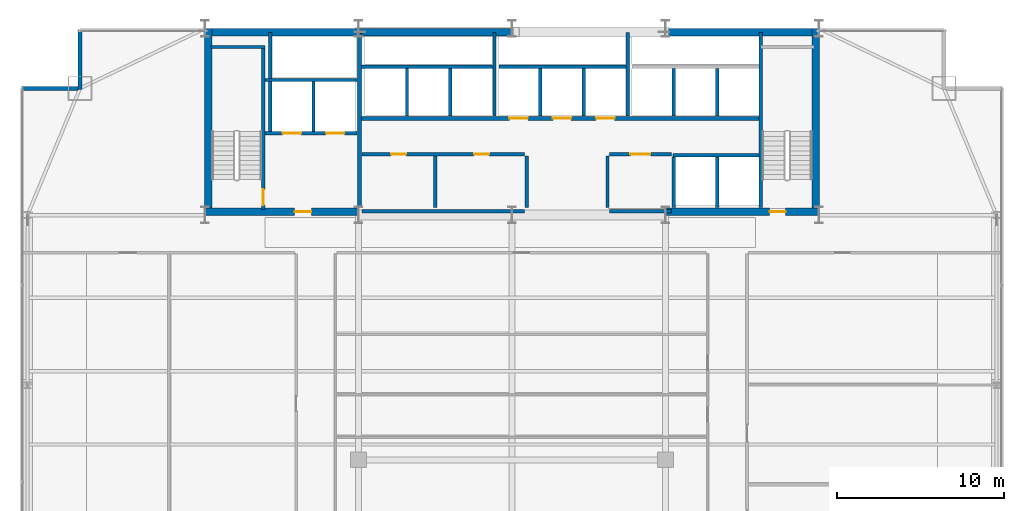
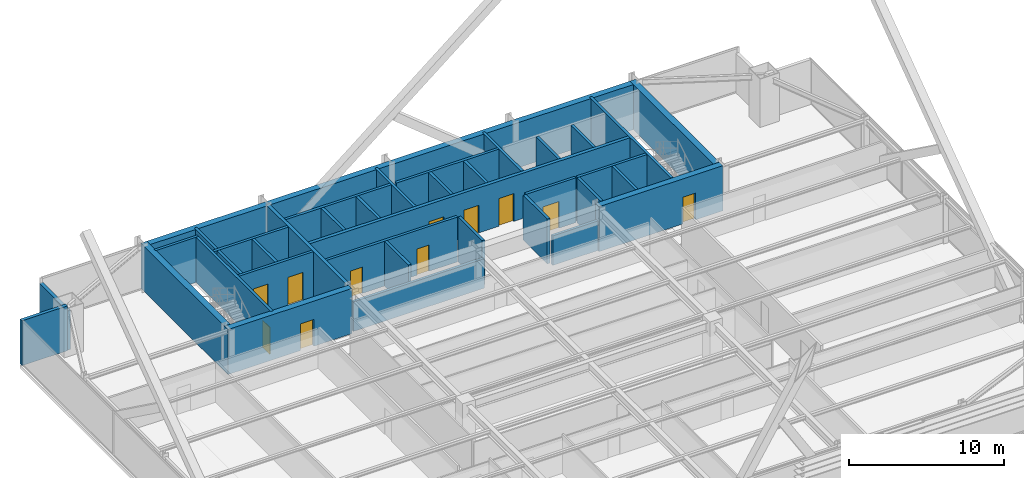
# One storey, part 34 of 37: 36 walls, 11 doors, 11 openings.
"""IFC4 building model written with IfcOpenShell, lengths in metres."""

import ifcopenshell
import ifcopenshell.guid

model = None  # the IFC model being written
_history = None  # IfcOwnerHistory: only IFC2X3 demands one
_inside = {}  # id of a spatial element -> (the spatial element, [elements in it])
_under = {}  # id of a project, library or spatial element -> (it, [spatial elements below it])
_declared = {}  # id of a project -> (the project, [libraries it declares])
_typed = {}  # id of a type object -> (the type object, [elements of that type])
_made_of = {}  # id of a material, layer set ... -> (it, [elements and type objects made of it])


def new_model(schema):
    """Start an empty IFC model of exactly this schema.

    Asked for "IFC4X3", IfcOpenShell would pick the latest addendum, in which some entities
    have other attributes; the version numbers below select the first issue.
    IFC2X3 requires an IfcOwnerHistory on every rooted entity: one is made here for all.
    """
    global model, _history
    if schema == "IFC4X3":
        model = ifcopenshell.file(schema_version=(4, 3, 0, 0))
    else:
        model = ifcopenshell.file(schema=schema)
    _inside.clear()
    _under.clear()
    _declared.clear()
    _typed.clear()
    _made_of.clear()
    _history = None
    if model.schema == "IFC2X3":
        org = make("IfcOrganization", Name="unknown")
        user = make(
            "IfcPersonAndOrganization",
            ThePerson=make("IfcPerson", FamilyName="unknown"),
            TheOrganization=org,
        )
        app = make(
            "IfcApplication",
            ApplicationDeveloper=org,
            Version="unknown",
            ApplicationFullName="unknown",
            ApplicationIdentifier="unknown",
        )
        _history = make(
            "IfcOwnerHistory",
            OwningUser=user,
            OwningApplication=app,
            ChangeAction="ADDED",
            CreationDate=0,
        )
    return model


def make(cls, **values):
    """One entity of the class cls with the attributes given. An attribute that is None is left unset."""
    return model.create_entity(
        cls, **{name: value for name, value in values.items() if value is not None}
    )


def rooted(cls, **values):
    """An entity with a GlobalId (a new one), such as an element, a storey or a relation."""
    return make(cls, GlobalId=ifcopenshell.guid.new(), OwnerHistory=_history, **values)


def si_unit(unit_type, name, prefix=None):
    """IfcSIUnit, for example si_unit("LENGTHUNIT", "METRE", prefix="MILLI")."""
    return make("IfcSIUnit", UnitType=unit_type, Prefix=prefix, Name=name)


def assignment(units):
    """IfcUnitAssignment: the units of a project."""
    return None if units is None else make("IfcUnitAssignment", Units=units)


def point(xyz):
    """IfcCartesianPoint."""
    return None if xyz is None else make("IfcCartesianPoint", Coordinates=xyz)


def direction(xyz):
    """IfcDirection."""
    return None if xyz is None else make("IfcDirection", DirectionRatios=xyz)


def frame(location, z_axis=None, x_axis=None):
    """IfcAxis2Placement3D, a coordinate frame: its origin and axes. An axis left out is left unset."""
    return make(
        "IfcAxis2Placement3D",
        Location=point(location),
        Axis=direction(z_axis),
        RefDirection=direction(x_axis),
    )


def frame_2d(location, x_axis=None):
    """IfcAxis2Placement2D, a coordinate frame in the plane: its origin and x axis."""
    return make(
        "IfcAxis2Placement2D", Location=point(location), RefDirection=direction(x_axis)
    )


def origin():
    """The frame at (0, 0, 0) with its axes left unset."""
    return frame((0.0, 0.0, 0.0))


def place(relative_to, where):
    """IfcLocalPlacement: puts the frame where relative to a parent placement (None: the world)."""
    return make(
        "IfcLocalPlacement", PlacementRelTo=relative_to, RelativePlacement=where
    )


def context(
    kind, dimensions, precision=None, world=None, true_north=None, identifier=None
):
    """IfcGeometricRepresentationContext, for example the 3D "Model" context."""
    return make(
        "IfcGeometricRepresentationContext",
        ContextIdentifier=identifier,
        ContextType=kind,
        CoordinateSpaceDimension=dimensions,
        Precision=precision,
        WorldCoordinateSystem=world,
        TrueNorth=true_north,
    )


def subcontext(parent, identifier, kind, view, scale=None):
    """IfcGeometricRepresentationSubContext, for example "Body" below "Model"."""
    return make(
        "IfcGeometricRepresentationSubContext",
        ContextIdentifier=identifier,
        ContextType=kind,
        ParentContext=parent,
        TargetScale=scale,
        TargetView=view,
    )


def project(units=None, contexts=None):
    """IfcProject with its units and contexts."""
    return rooted(
        "IfcProject",
        Name="project",
        RepresentationContexts=contexts,
        UnitsInContext=assignment(units),
    )


def spatial(cls, under=None, at=None, **own):
    """A site, building, storey or space (cls), placed at a placement, below another one or the project."""
    s = rooted(cls, ObjectPlacement=at, **own)
    if under is not None:
        _under.setdefault(under.id(), (under, []))[1].append(s)
    return s


def profile(cls, at=None, kind="AREA", **sizes):
    """A parametric profile (cls). Its sizes go by their IFC names, for example OverallWidth=200.0."""
    return make(cls, ProfileType=kind, Position=at, **sizes)


def rectangle(**sizes):
    """IfcRectangleProfileDef."""
    return profile("IfcRectangleProfileDef", **sizes)


def extrude(swept, where, along, depth):
    """IfcExtrudedAreaSolid: the profile swept, set in the frame where, extruded along a direction by depth."""
    return make(
        "IfcExtrudedAreaSolid",
        SweptArea=swept,
        Position=where,
        ExtrudedDirection=direction(along),
        Depth=depth,
    )


def shape(context_of_items, identifier, shape_type, items):
    """IfcShapeRepresentation: the items that make up one representation, for example the "Body"."""
    return make(
        "IfcShapeRepresentation",
        ContextOfItems=context_of_items,
        RepresentationIdentifier=identifier,
        RepresentationType=shape_type,
        Items=items,
    )


def source(mapping_origin, context_of_items, identifier, shape_type, items):
    """IfcRepresentationMap: a shape defined once, which mapped items show again and again."""
    return make(
        "IfcRepresentationMap",
        MappingOrigin=mapping_origin,
        MappedRepresentation=shape(context_of_items, identifier, shape_type, items),
    )


def transform(
    local_origin,
    x_axis=None,
    y_axis=None,
    z_axis=None,
    scale=None,
    scale2=None,
    scale3=None,
    uniform=True,
):
    """IfcCartesianTransformationOperator3D, or its non-uniform kind. x_axis, y_axis, z_axis: its Axis1, 2, 3."""
    if uniform:
        return make(
            "IfcCartesianTransformationOperator3D",
            Axis1=direction(x_axis),
            Axis2=direction(y_axis),
            LocalOrigin=point(local_origin),
            Scale=scale,
            Axis3=direction(z_axis),
        )
    return make(
        "IfcCartesianTransformationOperator3DnonUniform",
        Axis1=direction(x_axis),
        Axis2=direction(y_axis),
        LocalOrigin=point(local_origin),
        Scale=scale,
        Axis3=direction(z_axis),
        Scale2=scale2,
        Scale3=scale3,
    )


def mapped(mapping_source, mapping_target):
    """IfcMappedItem: shows the shape of a source again, moved by a transform."""
    return make(
        "IfcMappedItem", MappingSource=mapping_source, MappingTarget=mapping_target
    )


def material(Name=None, Category=None):
    """IfcMaterial."""
    return make("IfcMaterial", Name=Name, Category=Category)


def layer(
    of_material, thickness, ventilated=None, Name=None, Category=None, Priority=None
):
    """IfcMaterialLayer: one layer of a wall or slab, of a material (None: an air gap)."""
    return make(
        "IfcMaterialLayer",
        Material=of_material,
        LayerThickness=thickness,
        IsVentilated=ventilated,
        Name=Name,
        Category=Category,
        Priority=Priority,
    )


def layer_set(layers, Name=None):
    """IfcMaterialLayerSet."""
    return make("IfcMaterialLayerSet", MaterialLayers=layers, LayerSetName=Name)


def made_of(thing, what):
    """Note that an element or type object is made of a material, layer set ...; save() writes the relation."""
    if what is not None:
        _made_of.setdefault(what.id(), (what, []))[1].append(thing)
    return thing


def type_object(cls, material=None, **own):
    """A type object (cls), such as IfcWallType, which elements share."""
    return made_of(rooted(cls, **own), material)


def type_shapes(of_type, sources):
    """Give a type object the sources (RepresentationMaps) that its elements show as mapped items."""
    of_type.RepresentationMaps = sources


def element(
    cls,
    number,
    at=None,
    inside=None,
    cuts=None,
    type_object=None,
    material=None,
    context=None,
    identifier="Body",
    shape_type=None,
    held_by="IfcProductDefinitionShape",
    body=None,
    shapes=None,
    **own,
):
    """One element of the class cls, such as IfcWall. Its Tag is "e" and its number.

    at: its placement. inside: the storey or other place that contains it. cuts: it is an
    opening in that element (IfcRelVoidsElement). A single representation is given by context,
    identifier, shape_type and body (its items); several are given by shapes. held_by: the class
    of the entity that holds the representations. save() writes the other relations.
    """
    e = rooted(cls, Tag="e%d" % number, ObjectPlacement=at, **own)
    if body is not None:
        shapes = [shape(context, identifier, shape_type, body)]
    if shapes is not None:
        e.Representation = make(held_by, Representations=shapes)
    if inside is not None:
        _inside.setdefault(inside.id(), (inside, []))[1].append(e)
    if cuts is not None:
        rooted(
            "IfcRelVoidsElement", RelatingBuildingElement=cuts, RelatedOpeningElement=e
        )
    if type_object is not None:
        _typed.setdefault(type_object.id(), (type_object, []))[1].append(e)
    return made_of(e, material)


def fill(opening, filler):
    """IfcRelFillsElement: the door or window that sits in an opening."""
    return rooted(
        "IfcRelFillsElement",
        RelatingOpeningElement=opening,
        RelatedBuildingElement=filler,
    )


def aggregate(whole, parts):
    """IfcRelAggregates: a whole, such as a stair, and the parts it consists of."""
    return rooted("IfcRelAggregates", RelatingObject=whole, RelatedObjects=parts)


def save(model, path):
    """Write the relations noted so far, then the file.

    IfcRelAggregates (storeys below a building ...), IfcRelContainedInSpatialStructure (elements
    in a storey), IfcRelDefinesByType, IfcRelAssociatesMaterial and IfcRelDeclares: one each for
    every whole, place, type object, material and project.
    """
    for whole, parts in _under.values():
        aggregate(whole, parts)
    for where, things in _inside.values():
        rooted(
            "IfcRelContainedInSpatialStructure",
            RelatedElements=things,
            RelatingStructure=where,
        )
    for kind, things in _typed.values():
        rooted("IfcRelDefinesByType", RelatedObjects=things, RelatingType=kind)
    for what, things in _made_of.values():
        rooted("IfcRelAssociatesMaterial", RelatedObjects=things, RelatingMaterial=what)
    for by, libraries in _declared.values():
        rooted("IfcRelDeclares", RelatingContext=by, RelatedDefinitions=libraries)
    model.write(path)


model = new_model("IFC4")

# Units and contexts
model_context = context("Model", 3, precision=1e-05, world=origin(), true_north=direction((0.0, 1.0)))
body_context = subcontext(model_context, "Body", "Model", "MODEL_VIEW")
ifc_project = project(units=[si_unit("LENGTHUNIT", "METRE"), si_unit("AREAUNIT", "SQUARE_METRE"), si_unit("VOLUMEUNIT", "CUBIC_METRE"), si_unit("PLANEANGLEUNIT", "RADIAN"), si_unit("MASSUNIT", "GRAM", prefix="KILO")], contexts=[model_context])

# Site, building, storey
site_placement = place(None, origin())
site = spatial("IfcSite", under=ifc_project, at=site_placement, CompositionType="ELEMENT")
building_placement = place(site_placement, origin())
building = spatial("IfcBuilding", under=site, at=building_placement, Name="Varnel Quay Broadcast Tower", CompositionType="ELEMENT")
storey_placement = place(building_placement, frame((0.0, 0.0, 103.0)))
storey = spatial("IfcBuildingStorey", under=building, at=storey_placement, Name="L24", CompositionType="ELEMENT", Elevation=103.0)

# Wall, opening, door
ifc_material_1 = material(Name="Concrete CSA A23.3 C50/60", Category="concrete")
ifc_layer_1 = layer(ifc_material_1, 0.199951171875, Name="Concrete CSA A23.3 C50/60")
ifc_layer_set_1 = layer_set([ifc_layer_1], Name="Concrete CSA A23.3 C50/60")
wall_type_1 = type_object("IfcWallType", Name="Wall_CoreShaftShear200", PredefinedType="SHEAR", material=ifc_layer_set_1)
wall_1_placement = place(storey_placement, frame((19.080078125, 35.949951171875, 0.0), z_axis=(0.0, 0.0, 1.0), x_axis=(0.0, 1.0, 0.0)))
wall_1 = element("IfcWall", 1, at=wall_1_placement, inside=storey, type_object=wall_type_1, Name="L24 Stair 1 East Structural Wall", PredefinedType="SHEAR", context=body_context, shape_type="SweptSolid", body=[
    extrude(rectangle(XDim=9.650146484375, YDim=0.199951171875, at=frame_2d((4.8251953125, 0.0))), origin(), (0.0, 0.0, 1.0), 3.550048828125),
])
opening_1_placement = place(wall_1_placement, frame((0.25, 0.0, 0.0)))
opening_1 = element("IfcOpeningElement", 2, at=opening_1_placement, cuts=wall_1, Name="Opening D-L24-S1", PredefinedType="OPENING", context=body_context, shape_type="SweptSolid", body=[
    extrude(rectangle(XDim=0.949951171875, YDim=2.10009765625, at=frame_2d((0.47509765625, 1.050048828125))), frame((0.0, 0.10986328125, 0.0), z_axis=(0.0, -1.0, 0.0), x_axis=(1.0, 0.0, 0.0)), (0.0, 0.0, 1.0), 0.219970703125),
])
ifc_material_2 = material(Name="Insulated Fire-Rated Hollow Steel Door", Category="steel")
door_type_1 = type_object("IfcDoorType", Name="Door_FireStair950", OperationType="NOTDEFINED", PredefinedType="DOOR", material=ifc_material_2)
shared_shape_1 = source(origin(), body_context, "Body", "SweptSolid", [
    extrude(rectangle(XDim=0.949951171875, YDim=2.10009765625, at=frame_2d((0.47509765625, 1.050048828125))), frame((0.0, 0.02490234375, 0.0), z_axis=(0.0, -1.0, 0.0), x_axis=(1.0, 0.0, 0.0)), (0.0, 0.0, 1.0), 0.050048828125),
])
type_shapes(door_type_1, [shared_shape_1])
door_1_placement = place(opening_1_placement, origin())
door_1 = element("IfcDoor", 3, at=door_1_placement, inside=storey, type_object=door_type_1, Name="L24 Stair 1 Fire Door", OperationType="SINGLE_SWING_LEFT", OverallHeight=2.10009765625, OverallWidth=0.949951171875, PredefinedType="DOOR", context=body_context, shape_type="MappedRepresentation", body=[
    mapped(shared_shape_1, transform((0.0, 0.0, 0.0), x_axis=(1.0, 0.0, 0.0), y_axis=(0.0, 1.0, 0.0), z_axis=(0.0, 0.0, 1.0), scale=1.0)),
])
fill(opening_1, door_1)

# Wall
wall_2_placement = place(storey_placement, frame((15.949951171875, 45.679931640625, 0.0), z_axis=(0.0, 0.0, 1.0), x_axis=(1.0, 0.0, 0.0)))
element("IfcWall", 4, at=wall_2_placement, inside=storey, type_object=wall_type_1, Name="L24 Stair 1 North Structural Wall", PredefinedType="SHEAR", context=body_context, shape_type="SweptSolid", body=[
    extrude(rectangle(XDim=3.22998046875, YDim=0.199951171875, at=frame_2d((1.614990234375, 0.0))), origin(), (0.0, 0.0, 1.0), 3.550048828125),
])

# Wall, openings, doors
wall_3_placement = place(storey_placement, frame((19.199951171875, 40.5, 0.0), z_axis=(0.0, 0.0, 1.0), x_axis=(1.0, 0.0, 0.0)))
wall_3 = element("IfcWall", 5, at=wall_3_placement, inside=storey, type_object=wall_type_1, Name="L24 Firefighter Lift Shaft Front Wall", PredefinedType="SHEAR", context=body_context, shape_type="SweptSolid", body=[
    extrude(rectangle(XDim=5.52001953125, YDim=0.199951171875, at=frame_2d((2.760009765625, 0.0))), origin(), (0.0, 0.0, 1.0), 3.550048828125),
])
opening_2_placement = place(wall_3_placement, frame((1.050048828125, 0.0, 0.0)))
opening_2 = element("IfcOpeningElement", 6, at=opening_2_placement, cuts=wall_3, Name="Opening LD-L24-FE1", PredefinedType="OPENING", context=body_context, shape_type="SweptSolid", body=[
    extrude(rectangle(XDim=1.10009765625, YDim=2.179931640625, at=frame_2d((0.550048828125, 1.08984375))), frame((0.0, 0.10986328125, 0.0), z_axis=(0.0, -1.0, 0.0), x_axis=(1.0, 0.0, 0.0)), (0.0, 0.0, 1.0), 0.219970703125),
])
opening_3_placement = place(wall_3_placement, frame((3.64990234375, 0.0, 0.0)))
opening_3 = element("IfcOpeningElement", 7, at=opening_3_placement, cuts=wall_3, Name="Opening LD-L24-FE2", PredefinedType="OPENING", context=body_context, shape_type="SweptSolid", body=[
    extrude(rectangle(XDim=1.10009765625, YDim=2.179931640625, at=frame_2d((0.550048828125, 1.08984375))), frame((0.0, 0.10986328125, 0.0), z_axis=(0.0, -1.0, 0.0), x_axis=(1.0, 0.0, 0.0)), (0.0, 0.0, 1.0), 0.219970703125),
])
ifc_material_3 = material(Name="Brushed Bronze-Stainless Lift Car & Sliding Doors", Category="steel")
door_type_2 = type_object("IfcDoorType", Name="Door_LiftLanding1100", OperationType="SLIDING_TO_LEFT", PredefinedType="DOOR", material=ifc_material_3)
shared_shape_2 = source(origin(), body_context, "Body", "SweptSolid", [
    extrude(rectangle(XDim=1.10009765625, YDim=2.179931640625, at=frame_2d((0.550048828125, 1.08984375))), frame((0.0, 0.02490234375, 0.0), z_axis=(0.0, -1.0, 0.0), x_axis=(1.0, 0.0, 0.0)), (0.0, 0.0, 1.0), 0.050048828125),
])
type_shapes(door_type_2, [shared_shape_2])
door_2_placement = place(opening_2_placement, frame((1.10009765625, 0.0, 0.0), z_axis=(0.0, 0.0, 1.0), x_axis=(-1.0, 0.0, 0.0)))
door_2 = element("IfcDoor", 8, at=door_2_placement, inside=storey, type_object=door_type_2, Name="L24 Firefighter Lift FE-01 Landing Door", OperationType="SLIDING_TO_LEFT", OverallHeight=2.179931640625, OverallWidth=1.10009765625, PredefinedType="DOOR", context=body_context, shape_type="MappedRepresentation", body=[
    mapped(shared_shape_2, transform((0.0, 0.0, 0.0), x_axis=(1.0, 0.0, 0.0), y_axis=(0.0, 1.0, 0.0), z_axis=(0.0, 0.0, 1.0), scale=1.0)),
])
fill(opening_2, door_2)
door_3_placement = place(opening_3_placement, frame((1.10009765625, 0.0, 0.0), z_axis=(0.0, 0.0, 1.0), x_axis=(-1.0, 0.0, 0.0)))
door_3 = element("IfcDoor", 9, at=door_3_placement, inside=storey, type_object=door_type_2, Name="L24 Firefighter Lift FE-02 Landing Door", OperationType="SLIDING_TO_RIGHT", OverallHeight=2.179931640625, OverallWidth=1.10009765625, PredefinedType="DOOR", context=body_context, shape_type="MappedRepresentation", body=[
    mapped(shared_shape_2, transform((0.0, 0.0, 0.0), x_axis=(1.0, 0.0, 0.0), y_axis=(0.0, 1.0, 0.0), z_axis=(0.0, 0.0, 1.0), scale=1.0)),
])
fill(opening_3, door_3)

# Walls
wall_4_placement = place(storey_placement, frame((19.199951171875, 43.699951171875, 0.0), z_axis=(0.0, 0.0, 1.0), x_axis=(1.0, 0.0, 0.0)))
element("IfcWall", 10, at=wall_4_placement, inside=storey, type_object=wall_type_1, Name="L24 Firefighter Lift Shaft Rear Wall", PredefinedType="SHEAR", context=body_context, shape_type="SweptSolid", body=[
    extrude(rectangle(XDim=5.52001953125, YDim=0.199951171875, at=frame_2d((2.760009765625, 0.0))), origin(), (0.0, 0.0, 1.0), 3.550048828125),
])
wall_5_placement = place(storey_placement, frame((22.10009765625, 40.60009765625, 0.0), z_axis=(0.0, 0.0, 1.0), x_axis=(0.0, 1.0, 0.0)))
element("IfcWall", 11, at=wall_5_placement, inside=storey, type_object=wall_type_1, Name="L24 Firefighter Lift Shaft Divider", PredefinedType="SHEAR", context=body_context, shape_type="SweptSolid", body=[
    extrude(rectangle(XDim=3.0, YDim=0.199951171875, at=frame_2d((1.5, 0.0))), origin(), (0.0, 0.0, 1.0), 3.550048828125),
])
wall_6_placement = place(storey_placement, frame((19.5, 40.60009765625, 0.0), z_axis=(0.0, 0.0, 1.0), x_axis=(0.0, 1.0, 0.0)))
element("IfcWall", 12, at=wall_6_placement, inside=storey, type_object=wall_type_1, Name="L24 Firefighter Lift Shaft West Wall", PredefinedType="SHEAR", context=body_context, shape_type="SweptSolid", body=[
    extrude(rectangle(XDim=5.949951171875, YDim=0.199951171875, at=frame_2d((2.97509765625, 0.0))), origin(), (0.0, 0.0, 1.0), 3.550048828125),
])
wall_7_placement = place(storey_placement, frame((48.919921875, 36.050048828125, 0.0), z_axis=(0.0, 0.0, 1.0), x_axis=(0.0, 1.0, 0.0)))
element("IfcWall", 13, at=wall_7_placement, inside=storey, type_object=wall_type_1, Name="L24 Stair 2 West Structural Wall", PredefinedType="SHEAR", context=body_context, shape_type="SweptSolid", body=[
    extrude(rectangle(XDim=10.5, YDim=0.199951171875, at=frame_2d((5.25, 0.0))), origin(), (0.0, 0.0, 1.0), 3.550048828125),
])
wall_8_placement = place(storey_placement, frame((24.97998046875, 44.5, 0.0), z_axis=(0.0, 0.0, 1.0), x_axis=(1.0, 0.0, 0.0)))
element("IfcWall", 14, at=wall_8_placement, inside=storey, type_object=wall_type_1, Name="L24 Low-Rise Lift Shaft Rear Wall", PredefinedType="SHEAR", context=body_context, shape_type="SweptSolid", body=[
    extrude(rectangle(XDim=7.8701171875, YDim=0.199951171875, at=frame_2d((3.93505859375, 0.0))), origin(), (0.0, 0.0, 1.0), 3.550048828125),
])
for number, where, z_axis, x_axis, name in (
    (15, (27.699951171875, 41.530029296875, 0.0), (0.0, 0.0, 1.0), (0.0, 1.0, 0.0), "L24 Low-Rise Lift Shaft Divider 1"),
    (16, (30.300048828125, 41.530029296875, 0.0), (0.0, 0.0, 1.0), (0.0, 1.0, 0.0), "L24 Low-Rise Lift Shaft Divider 2"),
):
    element("IfcWall", number, at=place(storey_placement, frame(where, z_axis=z_axis, x_axis=x_axis)), inside=storey, type_object=wall_type_1, Name=name, PredefinedType="SHEAR", context=body_context, shape_type="SweptSolid", body=[
        extrude(rectangle(XDim=2.869873046875, YDim=0.199951171875, at=frame_2d((1.43505859375, 0.0))), origin(), (0.0, 0.0, 1.0), 3.550048828125),
    ])
wall_9_placement = place(storey_placement, frame((32.949951171875, 41.530029296875, 0.0), z_axis=(0.0, 0.0, 1.0), x_axis=(0.0, 1.0, 0.0)))
element("IfcWall", 17, at=wall_9_placement, inside=storey, type_object=wall_type_1, Name="L24 Low-Rise Lift Shaft Divider 3", PredefinedType="SHEAR", context=body_context, shape_type="SweptSolid", body=[
    extrude(rectangle(XDim=5.02001953125, YDim=0.199951171875, at=frame_2d((2.510009765625, 0.0))), origin(), (0.0, 0.0, 1.0), 3.550048828125),
])
wall_10_placement = place(storey_placement, frame((33.219970703125, 44.5, 0.0), z_axis=(0.0, 0.0, 1.0), x_axis=(1.0, 0.0, 0.0)))
element("IfcWall", 18, at=wall_10_placement, inside=storey, type_object=wall_type_1, Name="L24 Mid-Rise Lift Shaft Rear Wall", PredefinedType="SHEAR", context=body_context, shape_type="SweptSolid", body=[
    extrude(rectangle(XDim=7.630126953125, YDim=0.199951171875, at=frame_2d((3.81494140625, 0.0))), origin(), (0.0, 0.0, 1.0), 3.550048828125),
])
for number, where, z_axis, x_axis, name in (
    (19, (35.699951171875, 41.530029296875, 0.0), (0.0, 0.0, 1.0), (0.0, 1.0, 0.0), "L24 Mid-Rise Lift Shaft Divider 2"),
    (20, (38.300048828125, 41.530029296875, 0.0), (0.0, 0.0, 1.0), (0.0, 1.0, 0.0), "L24 Mid-Rise Lift Shaft Divider 3"),
):
    element("IfcWall", number, at=place(storey_placement, frame(where, z_axis=z_axis, x_axis=x_axis)), inside=storey, type_object=wall_type_1, Name=name, PredefinedType="SHEAR", context=body_context, shape_type="SweptSolid", body=[
        extrude(rectangle(XDim=2.869873046875, YDim=0.199951171875, at=frame_2d((1.43505859375, 0.0))), origin(), (0.0, 0.0, 1.0), 3.550048828125),
    ])
wall_11_placement = place(storey_placement, frame((40.949951171875, 41.530029296875, 0.0), z_axis=(0.0, 0.0, 1.0), x_axis=(0.0, 1.0, 0.0)))
element("IfcWall", 21, at=wall_11_placement, inside=storey, type_object=wall_type_1, Name="L24 Mid-Rise Lift Shaft Divider 4", PredefinedType="SHEAR", context=body_context, shape_type="SweptSolid", body=[
    extrude(rectangle(XDim=5.02001953125, YDim=0.199951171875, at=frame_2d((2.510009765625, 0.0))), origin(), (0.0, 0.0, 1.0), 3.550048828125),
])
for number, where, z_axis, x_axis, name in (
    (22, (43.699951171875, 41.530029296875, 0.0), (0.0, 0.0, 1.0), (0.0, 1.0, 0.0), "L24 High-Rise Lift Shaft Divider 2"),
    (23, (46.300048828125, 41.530029296875, 0.0), (0.0, 0.0, 1.0), (0.0, 1.0, 0.0), "L24 High-Rise Lift Shaft Divider 3"),
):
    element("IfcWall", number, at=place(storey_placement, frame(where, z_axis=z_axis, x_axis=x_axis)), inside=storey, type_object=wall_type_1, Name=name, PredefinedType="SHEAR", context=body_context, shape_type="SweptSolid", body=[
        extrude(rectangle(XDim=2.869873046875, YDim=0.199951171875, at=frame_2d((1.43505859375, 0.0))), origin(), (0.0, 0.0, 1.0), 3.550048828125),
    ])
for number, where, z_axis, x_axis, name in (
    (24, (43.699951171875, 36.050048828125, 0.0), (0.0, 0.0, 1.0), (0.0, 1.0, 0.0), "L24 Express Lift Shaft West Wall"),
    (25, (46.300048828125, 36.050048828125, 0.0), (0.0, 0.0, 1.0), (0.0, 1.0, 0.0), "L24 Express Lift Shaft Divider"),
):
    element("IfcWall", number, at=place(storey_placement, frame(where, z_axis=z_axis, x_axis=x_axis)), inside=storey, type_object=wall_type_1, Name=name, PredefinedType="SHEAR", context=body_context, shape_type="SweptSolid", body=[
        extrude(rectangle(XDim=3.050048828125, YDim=0.199951171875, at=frame_2d((1.52490234375, 0.0))), origin(), (0.0, 0.0, 1.0), 3.550048828125),
    ])
wall_12_placement = place(storey_placement, frame((43.64990234375, 39.199951171875, 0.0), z_axis=(0.0, 0.0, 1.0), x_axis=(1.0, 0.0, 0.0)))
element("IfcWall", 26, at=wall_12_placement, inside=storey, type_object=wall_type_1, Name="L24 Express Lift Shaft North Front Wall", PredefinedType="SHEAR", context=body_context, shape_type="SweptSolid", body=[
    extrude(rectangle(XDim=5.150146484375, YDim=0.199951171875, at=frame_2d((2.5751953125, 0.0))), origin(), (0.0, 0.0, 1.0), 3.550048828125),
])
ifc_layer_2 = layer(ifc_material_1, 0.25, Name="Concrete CSA A23.3 C50/60")
ifc_layer_set_2 = layer_set([ifc_layer_2], Name="Concrete CSA A23.3 C50/60")
wall_type_2 = type_object("IfcWallType", Name="Wall_CoreShaftShear250", PredefinedType="SHEAR", material=ifc_layer_set_2)
wall_13_placement = place(storey_placement, frame((24.85009765625, 36.050048828125, 0.0), z_axis=(0.0, 0.0, 1.0), x_axis=(0.0, 1.0, 0.0)))
element("IfcWall", 27, at=wall_13_placement, inside=storey, type_object=wall_type_2, Name="L24 Firefighting Lobby East Structural Wall", PredefinedType="SHEAR", context=body_context, shape_type="SweptSolid", body=[
    extrude(rectangle(XDim=10.449951171875, YDim=0.25, at=frame_2d((5.22509765625, 0.0))), origin(), (0.0, 0.0, 1.0), 3.550048828125),
])

# Wall, openings, doors
wall_14_placement = place(storey_placement, frame((24.97998046875, 41.39990234375, 0.0), z_axis=(0.0, 0.0, 1.0), x_axis=(1.0, 0.0, 0.0)))
wall_14 = element("IfcWall", 28, at=wall_14_placement, inside=storey, type_object=wall_type_2, Name="L24 North Lift Bank & Reclaimed Suite Wall", PredefinedType="SHEAR", context=body_context, shape_type="SweptSolid", body=[
    extrude(rectangle(XDim=23.820068359375, YDim=0.25, at=frame_2d((11.91015625, 0.0))), origin(), (0.0, 0.0, 1.0), 3.550048828125),
])
opening_4_placement = place(wall_14_placement, frame((8.8701171875, 0.0, 0.0)))
opening_4 = element("IfcOpeningElement", 29, at=opening_4_placement, cuts=wall_14, Name="Opening LD-L24-PM-01", PredefinedType="OPENING", context=body_context, shape_type="SweptSolid", body=[
    extrude(rectangle(XDim=1.10009765625, YDim=2.179931640625, at=frame_2d((0.550048828125, 1.08984375))), frame((0.0, 0.135009765625, 0.0), z_axis=(0.0, -1.0, 0.0), x_axis=(1.0, 0.0, 0.0)), (0.0, 0.0, 1.0), 0.27001953125),
])
opening_5_placement = place(wall_14_placement, frame((11.469970703125, 0.0, 0.0)))
opening_5 = element("IfcOpeningElement", 30, at=opening_5_placement, cuts=wall_14, Name="Opening LD-L24-PM-02", PredefinedType="OPENING", context=body_context, shape_type="SweptSolid", body=[
    extrude(rectangle(XDim=1.10009765625, YDim=2.179931640625, at=frame_2d((0.550048828125, 1.08984375))), frame((0.0, 0.135009765625, 0.0), z_axis=(0.0, -1.0, 0.0), x_axis=(1.0, 0.0, 0.0)), (0.0, 0.0, 1.0), 0.27001953125),
])
opening_6_placement = place(wall_14_placement, frame((14.070068359375, 0.0, 0.0)))
opening_6 = element("IfcOpeningElement", 31, at=opening_6_placement, cuts=wall_14, Name="Opening LD-L24-PM-03", PredefinedType="OPENING", context=body_context, shape_type="SweptSolid", body=[
    extrude(rectangle(XDim=1.10009765625, YDim=2.179931640625, at=frame_2d((0.550048828125, 1.08984375))), frame((0.0, 0.135009765625, 0.0), z_axis=(0.0, -1.0, 0.0), x_axis=(1.0, 0.0, 0.0)), (0.0, 0.0, 1.0), 0.27001953125),
])
door_4_placement = place(opening_4_placement, frame((1.10009765625, 0.0, 0.0), z_axis=(0.0, 0.0, 1.0), x_axis=(-1.0, 0.0, 0.0)))
door_4 = element("IfcDoor", 32, at=door_4_placement, inside=storey, type_object=door_type_2, Name="L24 Lift PM-01 Landing Door", OperationType="SLIDING_TO_LEFT", OverallHeight=2.179931640625, OverallWidth=1.10009765625, PredefinedType="DOOR", context=body_context, shape_type="MappedRepresentation", body=[
    mapped(shared_shape_2, transform((0.0, 0.0, 0.0), x_axis=(1.0, 0.0, 0.0), y_axis=(0.0, 1.0, 0.0), z_axis=(0.0, 0.0, 1.0), scale=1.0)),
])
fill(opening_4, door_4)
door_5_placement = place(opening_5_placement, frame((1.10009765625, 0.0, 0.0), z_axis=(0.0, 0.0, 1.0), x_axis=(-1.0, 0.0, 0.0)))
door_5 = element("IfcDoor", 33, at=door_5_placement, inside=storey, type_object=door_type_2, Name="L24 Lift PM-02 Landing Door", OperationType="SLIDING_TO_LEFT", OverallHeight=2.179931640625, OverallWidth=1.10009765625, PredefinedType="DOOR", context=body_context, shape_type="MappedRepresentation", body=[
    mapped(shared_shape_2, transform((0.0, 0.0, 0.0), x_axis=(1.0, 0.0, 0.0), y_axis=(0.0, 1.0, 0.0), z_axis=(0.0, 0.0, 1.0), scale=1.0)),
])
fill(opening_5, door_5)
door_6_placement = place(opening_6_placement, frame((1.10009765625, 0.0, 0.0), z_axis=(0.0, 0.0, 1.0), x_axis=(-1.0, 0.0, 0.0)))
door_6 = element("IfcDoor", 34, at=door_6_placement, inside=storey, type_object=door_type_2, Name="L24 Lift PM-03 Landing Door", OperationType="SLIDING_TO_LEFT", OverallHeight=2.179931640625, OverallWidth=1.10009765625, PredefinedType="DOOR", context=body_context, shape_type="MappedRepresentation", body=[
    mapped(shared_shape_2, transform((0.0, 0.0, 0.0), x_axis=(1.0, 0.0, 0.0), y_axis=(0.0, 1.0, 0.0), z_axis=(0.0, 0.0, 1.0), scale=1.0)),
])
fill(opening_6, door_6)

# Walls
ifc_material_4 = material(Name="Concrete CSA A23.3 C60/75", Category="concrete")
ifc_layer_3 = layer(ifc_material_4, 0.449951171875, Name="Concrete CSA A23.3 C60/75")
ifc_layer_set_3 = layer_set([ifc_layer_3], Name="Concrete CSA A23.3 C60/75")
wall_type_3 = type_object("IfcWallType", Name="Wall_CoreShearExt450", PredefinedType="SHEAR", material=ifc_layer_set_3)
wall_15_placement = place(storey_placement, frame((15.60009765625, 46.574951171875, 0.0), z_axis=(0.0, 0.0, 1.0), x_axis=(1.0, 0.0, 0.0)))
element("IfcWall", 35, at=wall_15_placement, inside=storey, type_object=wall_type_3, Name="L24 North Core Shear Wall", PredefinedType="SHEAR", context=body_context, shape_type="SweptSolid", body=[
    extrude(rectangle(XDim=36.7998046875, YDim=0.449951171875, at=frame_2d((18.39990234375, 0.0))), origin(), (0.0, 0.0, 1.0), 3.550048828125),
])
ifc_layer_4 = layer(ifc_material_4, 0.449951171875, Name="Concrete CSA A23.3 C60/75")
ifc_layer_set_4 = layer_set([ifc_layer_4], Name="Concrete CSA A23.3 C60/75")
wall_type_4 = type_object("IfcWallType", Name="Wall_CoreShearInt450", PredefinedType="SHEAR", material=ifc_layer_set_4)
for number, where, z_axis, x_axis, name in (
    (36, (15.794921875, 35.570068359375, 0.0), (0.0, 0.0, 1.0), (0.0, 1.0, 0.0), "L24 West Core Shear Wall"),
    (37, (52.205078125, 35.570068359375, 0.0), (0.0, 0.0, 1.0), (0.0, 1.0, 0.0), "L24 East Core Shear Wall"),
):
    element("IfcWall", number, at=place(storey_placement, frame(where, z_axis=z_axis, x_axis=x_axis)), inside=storey, type_object=wall_type_4, Name=name, PredefinedType="SHEAR", context=body_context, shape_type="SweptSolid", body=[
        extrude(rectangle(XDim=11.22998046875, YDim=0.449951171875, at=frame_2d((5.614990234375, 0.0))), origin(), (0.0, 0.0, 1.0), 3.550048828125),
    ])

# Wall, opening, door
wall_16_placement = place(storey_placement, frame((15.570068359375, 35.794921875, 0.0), z_axis=(0.0, 0.0, 1.0), x_axis=(1.0, 0.0, 0.0)))
wall_16 = element("IfcWall", 38, at=wall_16_placement, inside=storey, type_object=wall_type_4, Name="L24 South-West Core Shear Wall", PredefinedType="SHEAR", context=body_context, shape_type="SweptSolid", body=[
    extrude(rectangle(XDim=9.22998046875, YDim=0.449951171875, at=frame_2d((4.614990234375, 0.0))), origin(), (0.0, 0.0, 1.0), 3.550048828125),
])
opening_7_placement = place(wall_16_placement, frame((5.39990234375, 0.0, 0.0)))
opening_7 = element("IfcOpeningElement", 39, at=opening_7_placement, cuts=wall_16, Name="Opening D-L24-FFL", PredefinedType="OPENING", context=body_context, shape_type="SweptSolid", body=[
    extrude(rectangle(XDim=1.0, YDim=2.10009765625, at=frame_2d((0.5, 1.050048828125))), frame((0.0, 0.23486328125, 0.0), z_axis=(0.0, -1.0, 0.0), x_axis=(1.0, 0.0, 0.0)), (0.0, 0.0, 1.0), 0.469970703125),
])
door_type_3 = type_object("IfcDoorType", Name="Door_FireLobby1000", OperationType="NOTDEFINED", PredefinedType="DOOR", material=ifc_material_2)
shared_shape_3 = source(origin(), body_context, "Body", "SweptSolid", [
    extrude(rectangle(XDim=1.0, YDim=2.10009765625, at=frame_2d((0.5, 1.050048828125))), frame((0.0, 0.02490234375, 0.0), z_axis=(0.0, -1.0, 0.0), x_axis=(1.0, 0.0, 0.0)), (0.0, 0.0, 1.0), 0.050048828125),
])
type_shapes(door_type_3, [shared_shape_3])
door_7_placement = place(opening_7_placement, origin())
door_7 = element("IfcDoor", 40, at=door_7_placement, inside=storey, type_object=door_type_3, Name="L24 Firefighting Lobby Door", OperationType="SINGLE_SWING_RIGHT", OverallHeight=2.10009765625, OverallWidth=1.0, PredefinedType="DOOR", context=body_context, shape_type="MappedRepresentation", body=[
    mapped(shared_shape_3, transform((0.0, 0.0, 0.0), x_axis=(1.0, 0.0, 0.0), y_axis=(0.0, 1.0, 0.0), z_axis=(0.0, 0.0, 1.0), scale=1.0)),
])
fill(opening_7, door_7)

wall_17_placement = place(storey_placement, frame((43.199951171875, 35.794921875, 0.0), z_axis=(0.0, 0.0, 1.0), x_axis=(1.0, 0.0, 0.0)))
wall_17 = element("IfcWall", 41, at=wall_17_placement, inside=storey, type_object=wall_type_4, Name="L24 South-East Core Shear Wall", PredefinedType="SHEAR", context=body_context, shape_type="SweptSolid", body=[
    extrude(rectangle(XDim=9.22998046875, YDim=0.449951171875, at=frame_2d((4.614990234375, 0.0))), origin(), (0.0, 0.0, 1.0), 3.550048828125),
])
opening_8_placement = place(wall_17_placement, frame((6.25, 0.0, 0.0)))
opening_8 = element("IfcOpeningElement", 42, at=opening_8_placement, cuts=wall_17, Name="Opening D-L24-S2", PredefinedType="OPENING", context=body_context, shape_type="SweptSolid", body=[
    extrude(rectangle(XDim=0.949951171875, YDim=2.10009765625, at=frame_2d((0.47509765625, 1.050048828125))), frame((0.0, 0.23486328125, 0.0), z_axis=(0.0, -1.0, 0.0), x_axis=(1.0, 0.0, 0.0)), (0.0, 0.0, 1.0), 0.469970703125),
])
door_8_placement = place(opening_8_placement, origin())
door_8 = element("IfcDoor", 43, at=door_8_placement, inside=storey, type_object=door_type_1, Name="L24 Stair 2 Fire Door", OperationType="SINGLE_SWING_LEFT", OverallHeight=2.10009765625, OverallWidth=0.949951171875, PredefinedType="DOOR", context=body_context, shape_type="MappedRepresentation", body=[
    mapped(shared_shape_1, transform((0.0, 0.0, 0.0), x_axis=(1.0, 0.0, 0.0), y_axis=(0.0, 1.0, 0.0), z_axis=(0.0, 0.0, 1.0), scale=1.0)),
])
fill(opening_8, door_8)

# Walls
ifc_material_5 = material(Name="Precast Architectural Concrete C40/50", Category="concrete")
ifc_layer_5 = layer(ifc_material_5, 0.25, Name="Precast Architectural Concrete C40/50")
ifc_layer_set_5 = layer_set([ifc_layer_5], Name="Precast Architectural Concrete C40/50")
wall_type_5 = type_object("IfcWallType", Name="Wall_ExtTerrace250", PredefinedType="SOLIDWALL", material=ifc_layer_set_5)
wall_18_placement = place(storey_placement, frame((4.580078125, 43.199951171875, 0.0), z_axis=(0.0, 0.0, 1.0), x_axis=(1.0, 0.0, 0.0)))
element("IfcWall", 44, at=wall_18_placement, inside=storey, type_object=wall_type_5, Name="L24 Mega-Column Notch Cladding Wall NNW1", PredefinedType="SOLIDWALL", context=body_context, shape_type="SweptSolid", body=[
    extrude(rectangle(XDim=3.389892578125, YDim=0.25, at=frame_2d((1.69482421875, 0.0))), origin(), (0.0, 0.0, 1.0), 3.530029296875),
])
wall_19_placement = place(storey_placement, frame((8.10009765625, 43.1201171875, 0.0), z_axis=(0.0, 0.0, 1.0), x_axis=(0.0, 1.0, 0.0)))
element("IfcWall", 45, at=wall_19_placement, inside=storey, type_object=wall_type_5, Name="L24 Mega-Column Notch Cladding Wall NNW2", PredefinedType="SOLIDWALL", context=body_context, shape_type="SweptSolid", body=[
    extrude(rectangle(XDim=3.599853515625, YDim=0.25, at=frame_2d((1.7998046875, 0.0))), origin(), (0.0, 0.0, 1.0), 3.10791015625),
])
ifc_material_6 = material(Name="Concrete Blockwork Fire Enclosure C40/50", Category="masonry")
ifc_layer_6 = layer(ifc_material_6, 0.199951171875, Name="Concrete Blockwork Fire Enclosure C40/50")
ifc_layer_set_6 = layer_set([ifc_layer_6], Name="Concrete Blockwork Fire Enclosure C40/50")
wall_type_6 = type_object("IfcWallType", Name="Wall_FireShaft200", PredefinedType="SOLIDWALL", material=ifc_layer_set_6)
wall_20_placement = place(storey_placement, frame((39.85009765625, 35.824951171875, 0.0), z_axis=(0.0, 0.0, 1.0), x_axis=(1.0, 0.0, 0.0)))
element("IfcWall", 46, at=wall_20_placement, inside=storey, type_object=wall_type_6, Name="L24 Electrical Sub-Distribution Closet Partition 5", PredefinedType="SOLIDWALL", context=body_context, shape_type="SweptSolid", body=[
    extrude(rectangle(XDim=3.699951171875, YDim=0.199951171875, at=frame_2d((1.85009765625, 0.0))), origin(), (0.0, 0.0, 1.0), 2.324951171875),
])

# Wall, opening, door
wall_21_placement = place(storey_placement, frame((39.85009765625, 39.25, 0.0), z_axis=(0.0, 0.0, 1.0), x_axis=(1.0, 0.0, 0.0)))
wall_21 = element("IfcWall", 47, at=wall_21_placement, inside=storey, type_object=wall_type_6, Name="L24 Electrical Sub-Distribution Closet Partition 6", PredefinedType="SOLIDWALL", context=body_context, shape_type="SweptSolid", body=[
    extrude(rectangle(XDim=3.699951171875, YDim=0.199951171875, at=frame_2d((1.85009765625, 0.0))), origin(), (0.0, 0.0, 1.0), 3.530029296875),
])
opening_9_placement = place(wall_21_placement, frame((1.25, 0.0, 0.0)))
opening_9 = element("IfcOpeningElement", 48, at=opening_9_placement, cuts=wall_21, Name="Opening D-L24-03", PredefinedType="OPENING", context=body_context, shape_type="SweptSolid", body=[
    extrude(rectangle(XDim=1.199951171875, YDim=2.10009765625, at=frame_2d((0.60009765625, 1.050048828125))), frame((0.0, 0.10986328125, 0.0), z_axis=(0.0, -1.0, 0.0), x_axis=(1.0, 0.0, 0.0)), (0.0, 0.0, 1.0), 0.219970703125),
])
door_type_4 = type_object("IfcDoorType", Name="Door_Plant1200", OperationType="NOTDEFINED", PredefinedType="DOOR", material=ifc_material_2)
shared_shape_4 = source(origin(), body_context, "Body", "SweptSolid", [
    extrude(rectangle(XDim=1.199951171875, YDim=2.10009765625, at=frame_2d((0.60009765625, 1.050048828125))), frame((0.0, 0.02490234375, 0.0), z_axis=(0.0, -1.0, 0.0), x_axis=(1.0, 0.0, 0.0)), (0.0, 0.0, 1.0), 0.050048828125),
])
type_shapes(door_type_4, [shared_shape_4])
door_9_placement = place(opening_9_placement, origin())
door_9 = element("IfcDoor", 49, at=door_9_placement, inside=storey, type_object=door_type_4, Name="L24 Electrical Sub-Distribution Closet Door D-L24-03", OperationType="SINGLE_SWING_RIGHT", OverallHeight=2.10009765625, OverallWidth=1.199951171875, PredefinedType="DOOR", context=body_context, shape_type="MappedRepresentation", body=[
    mapped(shared_shape_4, transform((0.0, 0.0, 0.0), x_axis=(1.0, 0.0, 0.0), y_axis=(0.0, 1.0, 0.0), z_axis=(0.0, 0.0, 1.0), scale=1.0)),
])
fill(opening_9, door_9)

# Walls
wall_22_placement = place(storey_placement, frame((39.72509765625, 36.050048828125, 0.0), z_axis=(0.0, 0.0, 1.0), x_axis=(0.0, 1.0, 0.0)))
element("IfcWall", 50, at=wall_22_placement, inside=storey, type_object=wall_type_6, Name="L24 Electrical Sub-Distribution Closet Partition 7", PredefinedType="SOLIDWALL", context=body_context, shape_type="SweptSolid", body=[
    extrude(rectangle(XDim=3.099853515625, YDim=0.199951171875, at=frame_2d((1.5498046875, 0.0))), origin(), (0.0, 0.0, 1.0), 3.530029296875),
])
ifc_material_7 = material(Name="Fire-Rated Moisture-Resistant Plumbing Chase Partition")
ifc_layer_7 = layer(ifc_material_7, 0.199951171875, Name="Fire-Rated Moisture-Resistant Plumbing Chase Partition")
ifc_layer_set_7 = layer_set([ifc_layer_7], Name="Fire-Rated Moisture-Resistant Plumbing Chase Partition")
wall_type_7 = type_object("IfcWallType", Name="Wall_Plumbing200", PredefinedType="PLUMBINGWALL", material=ifc_layer_set_7)
wall_23_placement = place(storey_placement, frame((25.0, 35.824951171875, 0.0), z_axis=(0.0, 0.0, 1.0), x_axis=(1.0, 0.0, 0.0)))
element("IfcWall", 51, at=wall_23_placement, inside=storey, type_object=wall_type_7, Name="L24 Accessible Washroom Partition 1", PredefinedType="PLUMBINGWALL", context=body_context, shape_type="SweptSolid", body=[
    extrude(rectangle(XDim=9.75, YDim=0.199951171875, at=frame_2d((4.875, 0.0))), origin(), (0.0, 0.0, 1.0), 2.324951171875),
])
wall_24_placement = place(storey_placement, frame((29.39990234375, 36.050048828125, 0.0), z_axis=(0.0, 0.0, 1.0), x_axis=(0.0, 1.0, 0.0)))
element("IfcWall", 52, at=wall_24_placement, inside=storey, type_object=wall_type_7, Name="L24 Accessible Washroom Partition 2", PredefinedType="PLUMBINGWALL", context=body_context, shape_type="SweptSolid", body=[
    extrude(rectangle(XDim=3.099853515625, YDim=0.199951171875, at=frame_2d((1.5498046875, 0.0))), origin(), (0.0, 0.0, 1.0), 3.530029296875),
])

# Wall, openings, doors
wall_25_placement = place(storey_placement, frame((25.0, 39.25, 0.0), z_axis=(0.0, 0.0, 1.0), x_axis=(1.0, 0.0, 0.0)))
wall_25 = element("IfcWall", 53, at=wall_25_placement, inside=storey, type_object=wall_type_7, Name="L24 Accessible Washroom Partition 3", PredefinedType="PLUMBINGWALL", context=body_context, shape_type="SweptSolid", body=[
    extrude(rectangle(XDim=9.75, YDim=0.199951171875, at=frame_2d((4.875, 0.0))), origin(), (0.0, 0.0, 1.0), 3.530029296875),
])
opening_10_placement = place(wall_25_placement, frame((1.75, 0.0, 0.0)))
opening_10 = element("IfcOpeningElement", 54, at=opening_10_placement, cuts=wall_25, Name="Opening D-L24-01", PredefinedType="OPENING", context=body_context, shape_type="SweptSolid", body=[
    extrude(rectangle(XDim=0.89990234375, YDim=2.06005859375, at=frame_2d((0.449951171875, 1.030029296875))), frame((0.0, 0.10986328125, 0.0), z_axis=(0.0, -1.0, 0.0), x_axis=(1.0, 0.0, 0.0)), (0.0, 0.0, 1.0), 0.219970703125),
])
opening_11_placement = place(wall_25_placement, frame((6.72509765625, 0.0, 0.0)))
opening_11 = element("IfcOpeningElement", 55, at=opening_11_placement, cuts=wall_25, Name="Opening D-L24-02", PredefinedType="OPENING", context=body_context, shape_type="SweptSolid", body=[
    extrude(rectangle(XDim=0.89990234375, YDim=2.06005859375, at=frame_2d((0.449951171875, 1.030029296875))), frame((0.0, 0.10986328125, 0.0), z_axis=(0.0, -1.0, 0.0), x_axis=(1.0, 0.0, 0.0)), (0.0, 0.0, 1.0), 0.219970703125),
])
ifc_material_8 = material(Name="Solid-Core Fire-Rated Acoustic Oak Veneer Door", Category="wood")
door_type_5 = type_object("IfcDoorType", Name="Door_Washroom900", OperationType="NOTDEFINED", PredefinedType="DOOR", material=ifc_material_8)
shared_shape_5 = source(origin(), body_context, "Body", "SweptSolid", [
    extrude(rectangle(XDim=0.89990234375, YDim=2.06005859375, at=frame_2d((0.449951171875, 1.030029296875))), frame((0.0, 0.02490234375, 0.0), z_axis=(0.0, -1.0, 0.0), x_axis=(1.0, 0.0, 0.0)), (0.0, 0.0, 1.0), 0.050048828125),
])
type_shapes(door_type_5, [shared_shape_5])
door_10_placement = place(opening_10_placement, frame((0.89990234375, 0.0, 0.0), z_axis=(0.0, 0.0, 1.0), x_axis=(-1.0, 0.0, 0.0)))
door_10 = element("IfcDoor", 56, at=door_10_placement, inside=storey, type_object=door_type_5, Name="L24 Accessible Washroom Door D-L24-01", OperationType="SINGLE_SWING_RIGHT", OverallHeight=2.06005859375, OverallWidth=0.89990234375, PredefinedType="DOOR", context=body_context, shape_type="MappedRepresentation", body=[
    mapped(shared_shape_5, transform((0.0, 0.0, 0.0), x_axis=(1.0, 0.0, 0.0), y_axis=(0.0, 1.0, 0.0), z_axis=(0.0, 0.0, 1.0), scale=1.0)),
])
fill(opening_10, door_10)
door_11_placement = place(opening_11_placement, frame((0.89990234375, 0.0, 0.0), z_axis=(0.0, 0.0, 1.0), x_axis=(-1.0, 0.0, 0.0)))
door_11 = element("IfcDoor", 57, at=door_11_placement, inside=storey, type_object=door_type_5, Name="L24 Staff Washrooms Door D-L24-02", OperationType="SINGLE_SWING_LEFT", OverallHeight=2.06005859375, OverallWidth=0.89990234375, PredefinedType="DOOR", context=body_context, shape_type="MappedRepresentation", body=[
    mapped(shared_shape_5, transform((0.0, 0.0, 0.0), x_axis=(1.0, 0.0, 0.0), y_axis=(0.0, 1.0, 0.0), z_axis=(0.0, 0.0, 1.0), scale=1.0)),
])
fill(opening_11, door_11)

# Wall
wall_26_placement = place(storey_placement, frame((34.875, 36.050048828125, 0.0), z_axis=(0.0, 0.0, 1.0), x_axis=(0.0, 1.0, 0.0)))
element("IfcWall", 58, at=wall_26_placement, inside=storey, type_object=wall_type_7, Name="L24 Staff Washrooms Partition 4", PredefinedType="PLUMBINGWALL", context=body_context, shape_type="SweptSolid", body=[
    extrude(rectangle(XDim=3.099853515625, YDim=0.199951171875, at=frame_2d((1.5498046875, 0.0))), origin(), (0.0, 0.0, 1.0), 3.530029296875),
])

save(model, "model.ifc")
